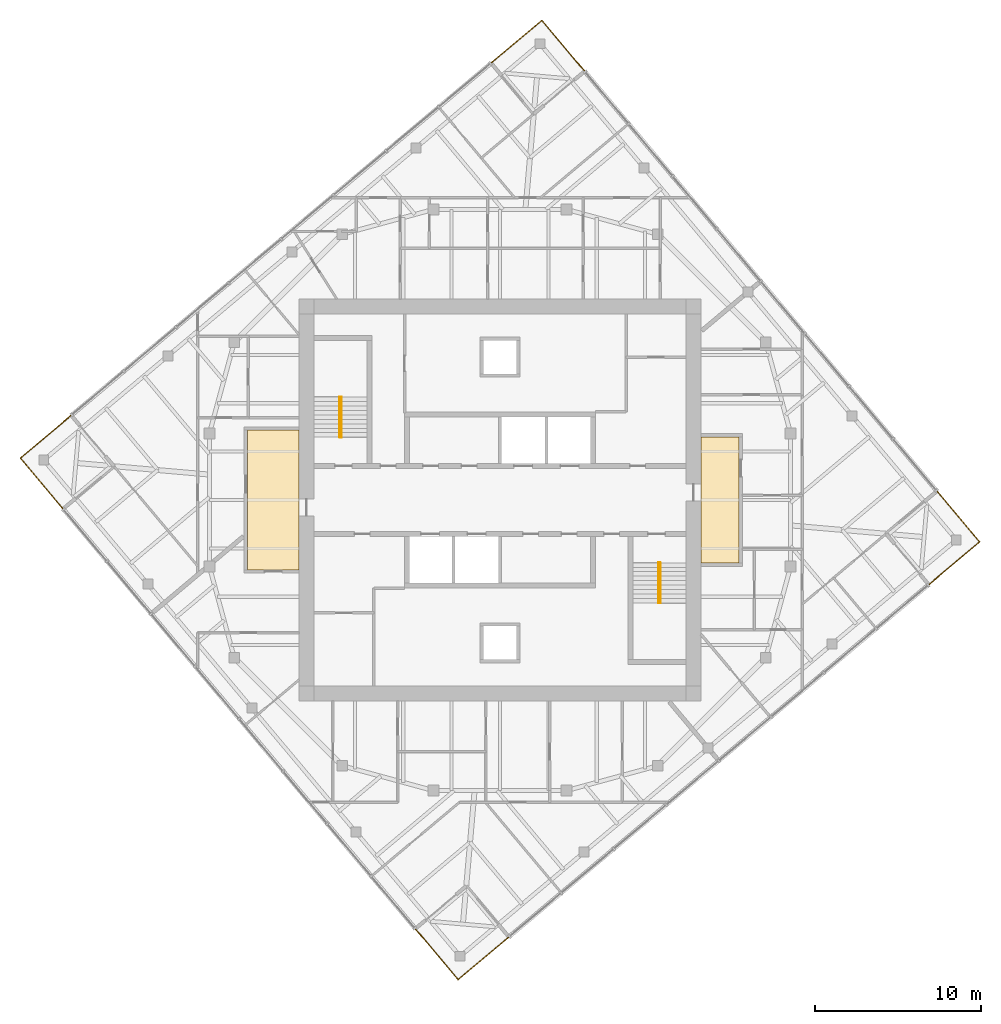
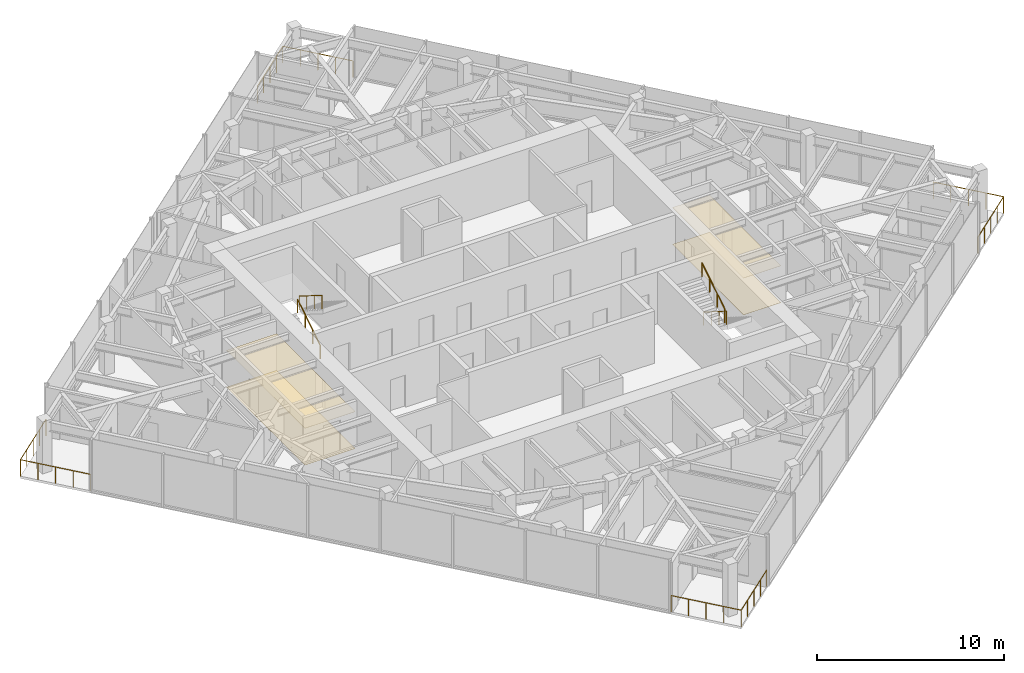
# One storey, part 12 of 12: 8 railings, 4 coverings, 2 elements without a shape of their own.
"""IFC4 building model written with IfcOpenShell, lengths in metres."""

from ifc_helpers import new_model, si_unit, direction, frame, origin, origin_2d, place, context, subcontext, project, spatial, polyline, circle, outline, extrude, material, layer, layer_set, type_object, element, aggregate, save


model = new_model("IFC4")

# Units and contexts
model_context = context("Model", 3, precision=1e-05, world=origin(), true_north=direction((0.0, 1.0)))
body_context = subcontext(model_context, "Body", "Model", "MODEL_VIEW")
ifc_project = project(units=[si_unit("LENGTHUNIT", "METRE"), si_unit("AREAUNIT", "SQUARE_METRE"), si_unit("VOLUMEUNIT", "CUBIC_METRE"), si_unit("PLANEANGLEUNIT", "RADIAN"), si_unit("MASSUNIT", "GRAM", prefix="KILO")], contexts=[model_context])

# Site, building, storey
site_placement = place(None, origin())
site = spatial("IfcSite", under=ifc_project, at=site_placement, CompositionType="ELEMENT")
building_placement = place(site_placement, origin())
building = spatial("IfcBuilding", under=site, at=building_placement, Name="Torsade Residences", CompositionType="ELEMENT")
storey_placement = place(building_placement, frame((0.0, 0.0, 293.0)))
storey = spatial("IfcBuildingStorey", under=building, at=storey_placement, Name="L81", CompositionType="ELEMENT", Elevation=293.0)

# Coverings
ifc_material_1 = material(Name="Nylon carpet tile on underlay", Category="textile")
ifc_layer_1 = layer(ifc_material_1, 0.010009765625)
ifc_layer_set_1 = layer_set([ifc_layer_1], Name="Nylon carpet tile on underlay")
covering_type_1 = type_object("IfcCoveringType", Name="CORRIDOR CARPET TILE 10", PredefinedType="FLOORING", material=ifc_layer_set_1)
covering_1_placement = place(storey_placement, origin())
element("IfcCovering", 1, at=covering_1_placement, inside=storey, type_object=covering_type_1, Name="Corridor carpet L81", PredefinedType="FLOORING", context=body_context, shape_type="SweptSolid", body=[
    extrude(outline(polyline([(54.39990234375, 26.199951171875), (54.39990234375, 33.800048828125), (52.10009765625, 33.800048828125), (52.10009765625, 26.199951171875), (54.39990234375, 26.199951171875)])), origin(), (0.0, 0.0, 1.0), 0.010009765625),
])
covering_2_placement = place(storey_placement, origin())
element("IfcCovering", 2, at=covering_2_placement, inside=storey, type_object=covering_type_1, Name="Corridor carpet west L81", PredefinedType="FLOORING", context=body_context, shape_type="SweptSolid", body=[
    extrude(outline(polyline([(27.89990234375, 25.800048828125), (27.89990234375, 34.199951171875), (24.800048828125, 34.199951171875), (24.800048828125, 25.800048828125), (27.89990234375, 25.800048828125)])), origin(), (0.0, 0.0, 1.0), 0.010009765625),
])
ifc_material_2 = material(Name="Plasterboard on suspended steel grid", Category="steel")
ifc_layer_2 = layer(ifc_material_2, 0.012939453125)
ifc_layer_set_2 = layer_set([ifc_layer_2], Name="Plasterboard on suspended steel grid")
covering_type_2 = type_object("IfcCoveringType", Name="CORRIDOR SUSPENDED CEILING 13", PredefinedType="CEILING", material=ifc_layer_set_2)
covering_3_placement = place(storey_placement, frame((0.0, 0.0, 2.39990234375)))
element("IfcCovering", 3, at=covering_3_placement, inside=storey, type_object=covering_type_2, Name="Corridor ceiling L81", PredefinedType="CEILING", context=body_context, shape_type="SweptSolid", body=[
    extrude(outline(polyline([(54.39990234375, 26.199951171875), (54.39990234375, 33.800048828125), (52.10009765625, 33.800048828125), (52.10009765625, 26.199951171875), (54.39990234375, 26.199951171875)])), origin(), (0.0, 0.0, 1.0), 0.01318359375),
])
covering_4_placement = place(storey_placement, frame((0.0, 0.0, 2.39990234375)))
element("IfcCovering", 4, at=covering_4_placement, inside=storey, type_object=covering_type_2, Name="Corridor ceiling west L81", PredefinedType="CEILING", context=body_context, shape_type="SweptSolid", body=[
    extrude(outline(polyline([(27.89990234375, 25.800048828125), (27.89990234375, 34.199951171875), (24.800048828125, 34.199951171875), (24.800048828125, 25.800048828125), (27.89990234375, 25.800048828125)])), origin(), (0.0, 0.0, 1.0), 0.01318359375),
])

# Stair, railings
ifc_material_3 = material(Name="Precast concrete 40 MPa", Category="concrete")
stair_type = type_object("IfcStairType", Name="HALF-TURN FIRE STAIR 1500x3400", PredefinedType="HALF_TURN_STAIR", material=ifc_material_3)
stair_1_placement = place(storey_placement, origin())
stair_1 = element("IfcStair", 5, at=stair_1_placement, inside=storey, type_object=stair_type, Name="Stair ST1 L81", PredefinedType="HALF_TURN_STAIR")
ifc_material_4 = material(Name="Steel handrail", Category="steel")
railing_type_1 = type_object("IfcRailingType", Name="STAIR HANDRAIL 900", PredefinedType="HANDRAIL", material=ifc_material_4)
railing_1_placement = place(storey_placement, frame((30.35009765625, 33.780029296875, 0.169921875)))
railing_1 = element("IfcRailing", 6, at=railing_1_placement, type_object=railing_type_1, Name="Handrail ST1 flight 1 L81", PredefinedType="HANDRAIL", context=body_context, shape_type="SweptSolid", body=[
    extrude(circle(Radius=0.02392578125, at=origin_2d()), frame((0.0, 0.0, 0.8759765625), z_axis=(0.0, 0.846221481393, 0.532831309544), x_axis=(-1.0, 0.0, 0.0)), (0.0, 0.0, 1.0), 2.87158203125),
    extrude(circle(Radius=0.02099609375, at=origin_2d()), origin(), (0.0, 0.0, 1.0), 0.851806640625),
    extrude(circle(Radius=0.02099609375, at=origin_2d()), frame((0.0, 0.81005859375, 0.510009765625)), (0.0, 0.0, 1.0), 0.851806640625),
    extrude(circle(Radius=0.02099609375, at=origin_2d()), frame((0.0, 1.619873046875, 1.02001953125)), (0.0, 0.0, 1.0), 0.851806640625),
    extrude(circle(Radius=0.02099609375, at=origin_2d()), frame((0.0, 2.429931640625, 1.530029296875)), (0.0, 0.0, 1.0), 0.851806640625),
])
railing_2_placement = place(storey_placement, frame((30.449951171875, 36.2099609375, 1.8701171875)))
railing_2 = element("IfcRailing", 7, at=railing_2_placement, type_object=railing_type_1, Name="Handrail ST1 flight 2 L81", PredefinedType="HANDRAIL", context=body_context, shape_type="SweptSolid", body=[
    extrude(circle(Radius=0.02392578125, at=origin_2d()), frame((0.0, 0.0, 0.8759765625), z_axis=(0.0, -0.846259816676, 0.532770422113), x_axis=(1.0, 0.0, 0.0)), (0.0, 0.0, 1.0), 2.871337890625),
    extrude(circle(Radius=0.02099609375, at=origin_2d()), origin(), (0.0, 0.0, 1.0), 0.851806640625),
    extrude(circle(Radius=0.02099609375, at=origin_2d()), frame((0.0, -0.81005859375, 0.510009765625)), (0.0, 0.0, 1.0), 0.851806640625),
    extrude(circle(Radius=0.02099609375, at=origin_2d()), frame((0.0, -1.619873046875, 1.019775390625)), (0.0, 0.0, 1.0), 0.851806640625),
    extrude(circle(Radius=0.02099609375, at=origin_2d()), frame((0.0, -2.429931640625, 1.52978515625)), (0.0, 0.0, 1.0), 0.851806640625),
])
aggregate(stair_1, [railing_1, railing_2])

stair_2_placement = place(storey_placement, origin())
stair_2 = element("IfcStair", 8, at=stair_2_placement, inside=storey, type_object=stair_type, Name="Stair ST2 L81", PredefinedType="HALF_TURN_STAIR")
railing_3_placement = place(storey_placement, frame((49.64990234375, 26.219970703125, 0.169921875)))
railing_3 = element("IfcRailing", 9, at=railing_3_placement, type_object=railing_type_1, Name="Handrail ST2 flight 1 L81", PredefinedType="HANDRAIL", context=body_context, shape_type="SweptSolid", body=[
    extrude(circle(Radius=0.02392578125, at=origin_2d()), frame((0.0, 0.0, 0.8759765625), z_axis=(0.0, -0.846221481393, 0.532831309544), x_axis=(1.0, 0.0, 0.0)), (0.0, 0.0, 1.0), 2.87158203125),
    extrude(circle(Radius=0.02099609375, at=origin_2d()), origin(), (0.0, 0.0, 1.0), 0.851806640625),
    extrude(circle(Radius=0.02099609375, at=origin_2d()), frame((0.0, -0.81005859375, 0.510009765625)), (0.0, 0.0, 1.0), 0.851806640625),
    extrude(circle(Radius=0.02099609375, at=origin_2d()), frame((0.0, -1.619873046875, 1.02001953125)), (0.0, 0.0, 1.0), 0.851806640625),
    extrude(circle(Radius=0.02099609375, at=origin_2d()), frame((0.0, -2.429931640625, 1.530029296875)), (0.0, 0.0, 1.0), 0.851806640625),
])
railing_4_placement = place(storey_placement, frame((49.550048828125, 23.7900390625, 1.8701171875)))
railing_4 = element("IfcRailing", 10, at=railing_4_placement, type_object=railing_type_1, Name="Handrail ST2 flight 2 L81", PredefinedType="HANDRAIL", context=body_context, shape_type="SweptSolid", body=[
    extrude(circle(Radius=0.02392578125, at=origin_2d()), frame((0.0, 0.0, 0.8759765625), z_axis=(0.0, 0.846259816676, 0.532770422113), x_axis=(-1.0, 0.0, 0.0)), (0.0, 0.0, 1.0), 2.871337890625),
    extrude(circle(Radius=0.02099609375, at=origin_2d()), origin(), (0.0, 0.0, 1.0), 0.851806640625),
    extrude(circle(Radius=0.02099609375, at=origin_2d()), frame((0.0, 0.81005859375, 0.510009765625)), (0.0, 0.0, 1.0), 0.851806640625),
    extrude(circle(Radius=0.02099609375, at=origin_2d()), frame((0.0, 1.619873046875, 1.019775390625)), (0.0, 0.0, 1.0), 0.851806640625),
    extrude(circle(Radius=0.02099609375, at=origin_2d()), frame((0.0, 2.429931640625, 1.52978515625)), (0.0, 0.0, 1.0), 0.851806640625),
])
aggregate(stair_2, [railing_3, railing_4])

# Railings
ifc_material_5 = material(Name="Laminated glass balustrade", Category="glass")
railing_type_2 = type_object("IfcRailingType", Name="TERRACE GLASS BALUSTRADE 1100", PredefinedType="BALUSTRADE", material=ifc_material_5)
railing_5_placement = place(storey_placement, frame((65.81689453125, 24.902099609375, 0.0)))
element("IfcRailing", 11, at=railing_5_placement, inside=storey, type_object=railing_type_2, Name="Terrace balustrade SE L81", PredefinedType="BALUSTRADE", context=body_context, shape_type="SweptSolid", body=[
    extrude(circle(Radius=0.02392578125, at=origin_2d()), frame((0.0, 0.0, 1.076171875), z_axis=(0.766060656284, 0.642768287094, 0.0), x_axis=(-0.642768287094, 0.766060656284, 0.0)), (0.0, 0.0, 1.0), 4.0),
    extrude(circle(Radius=0.02392578125, at=origin_2d()), frame((3.064208984375, 2.571044921875, 1.076171875), z_axis=(-0.642804103796, 0.766030602615, 0.0), x_axis=(-0.766030602615, -0.642804103796, 0.0)), (0.0, 0.0, 1.0), 4.0),
    extrude(circle(Radius=0.02099609375, at=origin_2d()), origin(), (0.0, 0.0, 1.0), 1.052001953125),
    extrude(circle(Radius=0.02099609375, at=origin_2d()), frame((0.76611328125, 0.642822265625, 0.0)), (0.0, 0.0, 1.0), 1.052001953125),
    extrude(circle(Radius=0.02099609375, at=origin_2d()), frame((1.5322265625, 1.28564453125, 0.0)), (0.0, 0.0, 1.0), 1.052001953125),
    extrude(circle(Radius=0.02099609375, at=origin_2d()), frame((2.298095703125, 1.92822265625, 0.0)), (0.0, 0.0, 1.0), 1.052001953125),
    extrude(circle(Radius=0.02099609375, at=origin_2d()), frame((3.064208984375, 2.571044921875, 0.0)), (0.0, 0.0, 1.0), 1.052001953125),
    extrude(circle(Radius=0.02099609375, at=origin_2d()), frame((2.42138671875, 3.337158203125, 0.0)), (0.0, 0.0, 1.0), 1.052001953125),
    extrude(circle(Radius=0.02099609375, at=origin_2d()), frame((1.778564453125, 4.10302734375, 0.0)), (0.0, 0.0, 1.0), 1.052001953125),
    extrude(circle(Radius=0.02099609375, at=origin_2d()), frame((1.1357421875, 4.869140625, 0.0)), (0.0, 0.0, 1.0), 1.052001953125),
    extrude(circle(Radius=0.02099609375, at=origin_2d()), frame((0.492919921875, 5.63525390625, 0.0)), (0.0, 0.0, 1.0), 1.052001953125),
])
railing_6_placement = place(storey_placement, frame((45.097900390625, 55.81689453125, 0.0)))
element("IfcRailing", 12, at=railing_6_placement, inside=storey, type_object=railing_type_2, Name="Terrace balustrade NE L81", PredefinedType="BALUSTRADE", context=body_context, shape_type="SweptSolid", body=[
    extrude(circle(Radius=0.02392578125, at=origin_2d()), frame((0.0, 0.0, 1.076171875), z_axis=(-0.642768287094, 0.766060656284, 0.0), x_axis=(-0.766060656284, -0.642768287094, 0.0)), (0.0, 0.0, 1.0), 4.0),
    extrude(circle(Radius=0.02392578125, at=origin_2d()), frame((-2.571044921875, 3.064208984375, 1.076171875), z_axis=(-0.766030602615, -0.642804103796, 0.0), x_axis=(0.642804103796, -0.766030602615, 0.0)), (0.0, 0.0, 1.0), 4.0),
    extrude(circle(Radius=0.02099609375, at=origin_2d()), origin(), (0.0, 0.0, 1.0), 1.052001953125),
    extrude(circle(Radius=0.02099609375, at=origin_2d()), frame((-0.642822265625, 0.76611328125, 0.0)), (0.0, 0.0, 1.0), 1.052001953125),
    extrude(circle(Radius=0.02099609375, at=origin_2d()), frame((-1.28564453125, 1.5322265625, 0.0)), (0.0, 0.0, 1.0), 1.052001953125),
    extrude(circle(Radius=0.02099609375, at=origin_2d()), frame((-1.92822265625, 2.298095703125, 0.0)), (0.0, 0.0, 1.0), 1.052001953125),
    extrude(circle(Radius=0.02099609375, at=origin_2d()), frame((-2.571044921875, 3.064208984375, 0.0)), (0.0, 0.0, 1.0), 1.052001953125),
    extrude(circle(Radius=0.02099609375, at=origin_2d()), frame((-3.337158203125, 2.42138671875, 0.0)), (0.0, 0.0, 1.0), 1.052001953125),
    extrude(circle(Radius=0.02099609375, at=origin_2d()), frame((-4.10302734375, 1.778564453125, 0.0)), (0.0, 0.0, 1.0), 1.052001953125),
    extrude(circle(Radius=0.02099609375, at=origin_2d()), frame((-4.869140625, 1.1357421875, 0.0)), (0.0, 0.0, 1.0), 1.052001953125),
    extrude(circle(Radius=0.02099609375, at=origin_2d()), frame((-5.63525390625, 0.492919921875, 0.0)), (0.0, 0.0, 1.0), 1.052001953125),
])
railing_7_placement = place(storey_placement, frame((14.18310546875, 35.097900390625, 0.0)))
element("IfcRailing", 13, at=railing_7_placement, inside=storey, type_object=railing_type_2, Name="Terrace balustrade NW L81", PredefinedType="BALUSTRADE", context=body_context, shape_type="SweptSolid", body=[
    extrude(circle(Radius=0.02392578125, at=origin_2d()), frame((0.0, 0.0, 1.076171875), z_axis=(-0.766060656284, -0.642768287094, 0.0), x_axis=(0.642768287094, -0.766060656284, 0.0)), (0.0, 0.0, 1.0), 4.0),
    extrude(circle(Radius=0.02392578125, at=origin_2d()), frame((-3.064208984375, -2.571044921875, 1.076171875), z_axis=(0.642804103796, -0.766030602615, 0.0), x_axis=(0.766030602615, 0.642804103796, 0.0)), (0.0, 0.0, 1.0), 4.0),
    extrude(circle(Radius=0.02099609375, at=origin_2d()), origin(), (0.0, 0.0, 1.0), 1.052001953125),
    extrude(circle(Radius=0.02099609375, at=origin_2d()), frame((-0.76611328125, -0.642822265625, 0.0)), (0.0, 0.0, 1.0), 1.052001953125),
    extrude(circle(Radius=0.02099609375, at=origin_2d()), frame((-1.5322265625, -1.28564453125, 0.0)), (0.0, 0.0, 1.0), 1.052001953125),
    extrude(circle(Radius=0.02099609375, at=origin_2d()), frame((-2.298095703125, -1.92822265625, 0.0)), (0.0, 0.0, 1.0), 1.052001953125),
    extrude(circle(Radius=0.02099609375, at=origin_2d()), frame((-3.064208984375, -2.571044921875, 0.0)), (0.0, 0.0, 1.0), 1.052001953125),
    extrude(circle(Radius=0.02099609375, at=origin_2d()), frame((-2.42138671875, -3.337158203125, 0.0)), (0.0, 0.0, 1.0), 1.052001953125),
    extrude(circle(Radius=0.02099609375, at=origin_2d()), frame((-1.778564453125, -4.10302734375, 0.0)), (0.0, 0.0, 1.0), 1.052001953125),
    extrude(circle(Radius=0.02099609375, at=origin_2d()), frame((-1.1357421875, -4.869140625, 0.0)), (0.0, 0.0, 1.0), 1.052001953125),
    extrude(circle(Radius=0.02099609375, at=origin_2d()), frame((-0.492919921875, -5.63525390625, 0.0)), (0.0, 0.0, 1.0), 1.052001953125),
])
railing_8_placement = place(storey_placement, frame((34.902099609375, 4.18310546875, 0.0)))
element("IfcRailing", 14, at=railing_8_placement, inside=storey, type_object=railing_type_2, Name="Terrace balustrade SW L81", PredefinedType="BALUSTRADE", context=body_context, shape_type="SweptSolid", body=[
    extrude(circle(Radius=0.02392578125, at=origin_2d()), frame((0.0, 0.0, 1.076171875), z_axis=(0.642768287094, -0.766060656284, 0.0), x_axis=(0.766060656284, 0.642768287094, 0.0)), (0.0, 0.0, 1.0), 4.0),
    extrude(circle(Radius=0.02392578125, at=origin_2d()), frame((2.571044921875, -3.064208984375, 1.076171875), z_axis=(0.766030602615, 0.642804103796, 0.0), x_axis=(-0.642804103796, 0.766030602615, 0.0)), (0.0, 0.0, 1.0), 4.0),
    extrude(circle(Radius=0.02099609375, at=origin_2d()), origin(), (0.0, 0.0, 1.0), 1.052001953125),
    extrude(circle(Radius=0.02099609375, at=origin_2d()), frame((0.642822265625, -0.76611328125, 0.0)), (0.0, 0.0, 1.0), 1.052001953125),
    extrude(circle(Radius=0.02099609375, at=origin_2d()), frame((1.28564453125, -1.5322265625, 0.0)), (0.0, 0.0, 1.0), 1.052001953125),
    extrude(circle(Radius=0.02099609375, at=origin_2d()), frame((1.92822265625, -2.298095703125, 0.0)), (0.0, 0.0, 1.0), 1.052001953125),
    extrude(circle(Radius=0.02099609375, at=origin_2d()), frame((2.571044921875, -3.064208984375, 0.0)), (0.0, 0.0, 1.0), 1.052001953125),
    extrude(circle(Radius=0.02099609375, at=origin_2d()), frame((3.337158203125, -2.42138671875, 0.0)), (0.0, 0.0, 1.0), 1.052001953125),
    extrude(circle(Radius=0.02099609375, at=origin_2d()), frame((4.10302734375, -1.778564453125, 0.0)), (0.0, 0.0, 1.0), 1.052001953125),
    extrude(circle(Radius=0.02099609375, at=origin_2d()), frame((4.869140625, -1.1357421875, 0.0)), (0.0, 0.0, 1.0), 1.052001953125),
    extrude(circle(Radius=0.02099609375, at=origin_2d()), frame((5.63525390625, -0.492919921875, 0.0)), (0.0, 0.0, 1.0), 1.052001953125),
])

save(model, "model.ifc")
